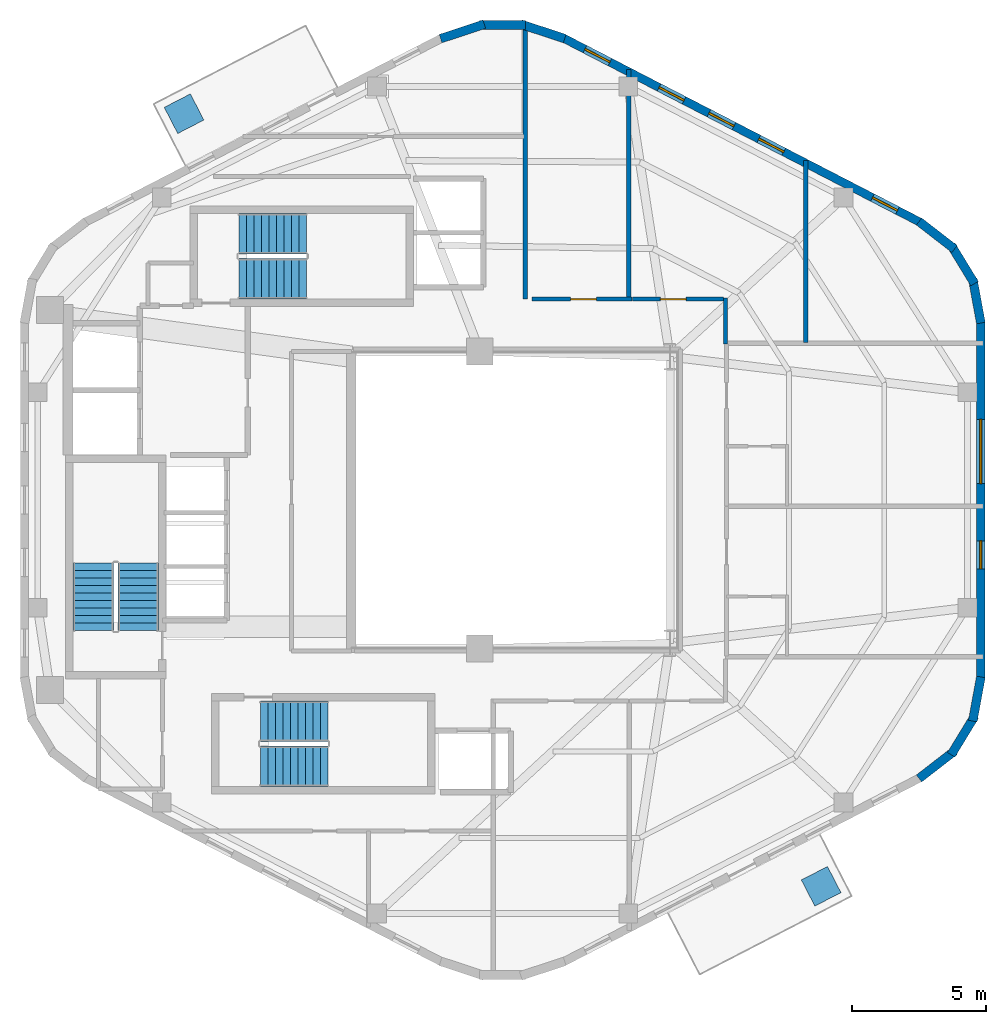
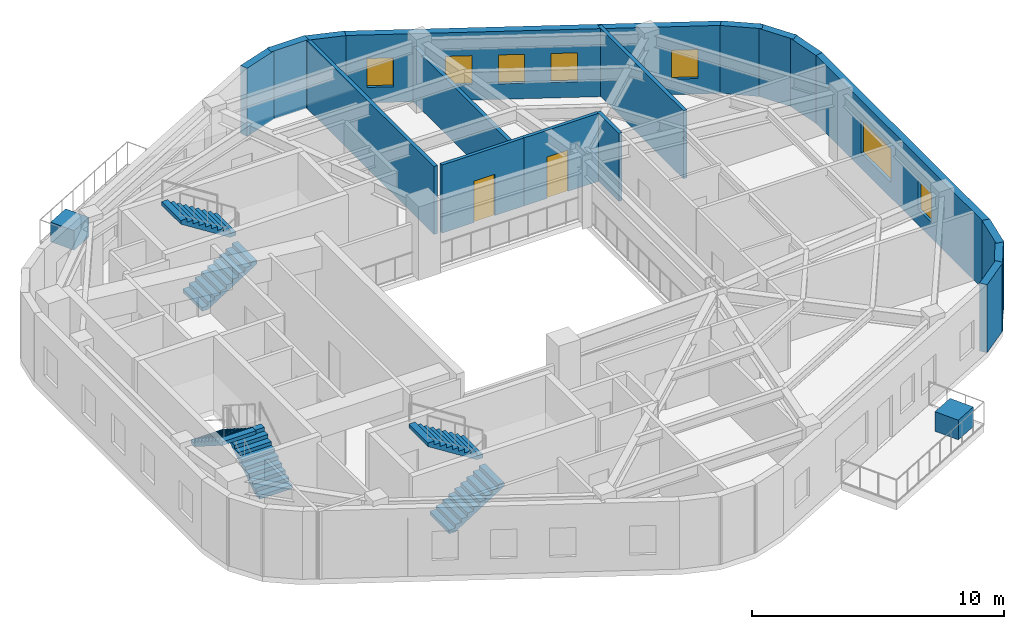
# One storey, part 5 of 7: 17 walls, 7 windows, 6 stair flights, 2 discrete accessories, 2 doors, 9 openings, 3 elements without a shape of their own.
"""IFC4 building model written with IfcOpenShell, lengths in metres."""

import ifcopenshell
import ifcopenshell.guid

model = None  # the IFC model being written
_history = None  # IfcOwnerHistory: only IFC2X3 demands one
_inside = {}  # id of a spatial element -> (the spatial element, [elements in it])
_under = {}  # id of a project, library or spatial element -> (it, [spatial elements below it])
_declared = {}  # id of a project -> (the project, [libraries it declares])
_typed = {}  # id of a type object -> (the type object, [elements of that type])
_made_of = {}  # id of a material, layer set ... -> (it, [elements and type objects made of it])


def new_model(schema):
    """Start an empty IFC model of exactly this schema.

    Asked for "IFC4X3", IfcOpenShell would pick the latest addendum, in which some entities
    have other attributes; the version numbers below select the first issue.
    IFC2X3 requires an IfcOwnerHistory on every rooted entity: one is made here for all.
    """
    global model, _history
    if schema == "IFC4X3":
        model = ifcopenshell.file(schema_version=(4, 3, 0, 0))
    else:
        model = ifcopenshell.file(schema=schema)
    _inside.clear()
    _under.clear()
    _declared.clear()
    _typed.clear()
    _made_of.clear()
    _history = None
    if model.schema == "IFC2X3":
        org = make("IfcOrganization", Name="unknown")
        user = make(
            "IfcPersonAndOrganization",
            ThePerson=make("IfcPerson", FamilyName="unknown"),
            TheOrganization=org,
        )
        app = make(
            "IfcApplication",
            ApplicationDeveloper=org,
            Version="unknown",
            ApplicationFullName="unknown",
            ApplicationIdentifier="unknown",
        )
        _history = make(
            "IfcOwnerHistory",
            OwningUser=user,
            OwningApplication=app,
            ChangeAction="ADDED",
            CreationDate=0,
        )
    return model


def make(cls, **values):
    """One entity of the class cls with the attributes given. An attribute that is None is left unset."""
    return model.create_entity(
        cls, **{name: value for name, value in values.items() if value is not None}
    )


def rooted(cls, **values):
    """An entity with a GlobalId (a new one), such as an element, a storey or a relation."""
    return make(cls, GlobalId=ifcopenshell.guid.new(), OwnerHistory=_history, **values)


def si_unit(unit_type, name, prefix=None):
    """IfcSIUnit, for example si_unit("LENGTHUNIT", "METRE", prefix="MILLI")."""
    return make("IfcSIUnit", UnitType=unit_type, Prefix=prefix, Name=name)


def assignment(units):
    """IfcUnitAssignment: the units of a project."""
    return None if units is None else make("IfcUnitAssignment", Units=units)


def point(xyz):
    """IfcCartesianPoint."""
    return None if xyz is None else make("IfcCartesianPoint", Coordinates=xyz)


def direction(xyz):
    """IfcDirection."""
    return None if xyz is None else make("IfcDirection", DirectionRatios=xyz)


def frame(location, z_axis=None, x_axis=None):
    """IfcAxis2Placement3D, a coordinate frame: its origin and axes. An axis left out is left unset."""
    return make(
        "IfcAxis2Placement3D",
        Location=point(location),
        Axis=direction(z_axis),
        RefDirection=direction(x_axis),
    )


def frame_2d(location, x_axis=None):
    """IfcAxis2Placement2D, a coordinate frame in the plane: its origin and x axis."""
    return make(
        "IfcAxis2Placement2D", Location=point(location), RefDirection=direction(x_axis)
    )


def origin():
    """The frame at (0, 0, 0) with its axes left unset."""
    return frame((0.0, 0.0, 0.0))


def origin_2d():
    """The frame at (0, 0) in the plane with its x axis left unset."""
    return frame_2d((0.0, 0.0))


def place(relative_to, where):
    """IfcLocalPlacement: puts the frame where relative to a parent placement (None: the world)."""
    return make(
        "IfcLocalPlacement", PlacementRelTo=relative_to, RelativePlacement=where
    )


def context(
    kind, dimensions, precision=None, world=None, true_north=None, identifier=None
):
    """IfcGeometricRepresentationContext, for example the 3D "Model" context."""
    return make(
        "IfcGeometricRepresentationContext",
        ContextIdentifier=identifier,
        ContextType=kind,
        CoordinateSpaceDimension=dimensions,
        Precision=precision,
        WorldCoordinateSystem=world,
        TrueNorth=true_north,
    )


def subcontext(parent, identifier, kind, view, scale=None):
    """IfcGeometricRepresentationSubContext, for example "Body" below "Model"."""
    return make(
        "IfcGeometricRepresentationSubContext",
        ContextIdentifier=identifier,
        ContextType=kind,
        ParentContext=parent,
        TargetScale=scale,
        TargetView=view,
    )


def project(units=None, contexts=None):
    """IfcProject with its units and contexts."""
    return rooted(
        "IfcProject",
        Name="project",
        RepresentationContexts=contexts,
        UnitsInContext=assignment(units),
    )


def spatial(cls, under=None, at=None, **own):
    """A site, building, storey or space (cls), placed at a placement, below another one or the project."""
    s = rooted(cls, ObjectPlacement=at, **own)
    if under is not None:
        _under.setdefault(under.id(), (under, []))[1].append(s)
    return s


def polyline(points):
    """IfcPolyline through the points."""
    return make("IfcPolyline", Points=[point(p) for p in points])


def profile(cls, at=None, kind="AREA", **sizes):
    """A parametric profile (cls). Its sizes go by their IFC names, for example OverallWidth=200.0."""
    return make(cls, ProfileType=kind, Position=at, **sizes)


def rectangle(**sizes):
    """IfcRectangleProfileDef."""
    return profile("IfcRectangleProfileDef", **sizes)


def outline(outer, holes=None, kind="AREA"):
    """IfcArbitraryClosedProfileDef: a profile drawn as a closed curve; with holes, ...WithVoids."""
    if holes is None:
        return make("IfcArbitraryClosedProfileDef", ProfileType=kind, OuterCurve=outer)
    return make(
        "IfcArbitraryProfileDefWithVoids",
        ProfileType=kind,
        OuterCurve=outer,
        InnerCurves=holes,
    )


def extrude(swept, where, along, depth):
    """IfcExtrudedAreaSolid: the profile swept, set in the frame where, extruded along a direction by depth."""
    return make(
        "IfcExtrudedAreaSolid",
        SweptArea=swept,
        Position=where,
        ExtrudedDirection=direction(along),
        Depth=depth,
    )


def shape(context_of_items, identifier, shape_type, items):
    """IfcShapeRepresentation: the items that make up one representation, for example the "Body"."""
    return make(
        "IfcShapeRepresentation",
        ContextOfItems=context_of_items,
        RepresentationIdentifier=identifier,
        RepresentationType=shape_type,
        Items=items,
    )


def material(Name=None, Category=None):
    """IfcMaterial."""
    return make("IfcMaterial", Name=Name, Category=Category)


def layer(
    of_material, thickness, ventilated=None, Name=None, Category=None, Priority=None
):
    """IfcMaterialLayer: one layer of a wall or slab, of a material (None: an air gap)."""
    return make(
        "IfcMaterialLayer",
        Material=of_material,
        LayerThickness=thickness,
        IsVentilated=ventilated,
        Name=Name,
        Category=Category,
        Priority=Priority,
    )


def layer_set(layers, Name=None):
    """IfcMaterialLayerSet."""
    return make("IfcMaterialLayerSet", MaterialLayers=layers, LayerSetName=Name)


def made_of(thing, what):
    """Note that an element or type object is made of a material, layer set ...; save() writes the relation."""
    if what is not None:
        _made_of.setdefault(what.id(), (what, []))[1].append(thing)
    return thing


def type_object(cls, material=None, **own):
    """A type object (cls), such as IfcWallType, which elements share."""
    return made_of(rooted(cls, **own), material)


def element(
    cls,
    number,
    at=None,
    inside=None,
    cuts=None,
    type_object=None,
    material=None,
    context=None,
    identifier="Body",
    shape_type=None,
    held_by="IfcProductDefinitionShape",
    body=None,
    shapes=None,
    **own,
):
    """One element of the class cls, such as IfcWall. Its Tag is "e" and its number.

    at: its placement. inside: the storey or other place that contains it. cuts: it is an
    opening in that element (IfcRelVoidsElement). A single representation is given by context,
    identifier, shape_type and body (its items); several are given by shapes. held_by: the class
    of the entity that holds the representations. save() writes the other relations.
    """
    e = rooted(cls, Tag="e%d" % number, ObjectPlacement=at, **own)
    if body is not None:
        shapes = [shape(context, identifier, shape_type, body)]
    if shapes is not None:
        e.Representation = make(held_by, Representations=shapes)
    if inside is not None:
        _inside.setdefault(inside.id(), (inside, []))[1].append(e)
    if cuts is not None:
        rooted(
            "IfcRelVoidsElement", RelatingBuildingElement=cuts, RelatedOpeningElement=e
        )
    if type_object is not None:
        _typed.setdefault(type_object.id(), (type_object, []))[1].append(e)
    return made_of(e, material)


def fill(opening, filler):
    """IfcRelFillsElement: the door or window that sits in an opening."""
    return rooted(
        "IfcRelFillsElement",
        RelatingOpeningElement=opening,
        RelatedBuildingElement=filler,
    )


def aggregate(whole, parts):
    """IfcRelAggregates: a whole, such as a stair, and the parts it consists of."""
    return rooted("IfcRelAggregates", RelatingObject=whole, RelatedObjects=parts)


def save(model, path):
    """Write the relations noted so far, then the file.

    IfcRelAggregates (storeys below a building ...), IfcRelContainedInSpatialStructure (elements
    in a storey), IfcRelDefinesByType, IfcRelAssociatesMaterial and IfcRelDeclares: one each for
    every whole, place, type object, material and project.
    """
    for whole, parts in _under.values():
        aggregate(whole, parts)
    for where, things in _inside.values():
        rooted(
            "IfcRelContainedInSpatialStructure",
            RelatedElements=things,
            RelatingStructure=where,
        )
    for kind, things in _typed.values():
        rooted("IfcRelDefinesByType", RelatedObjects=things, RelatingType=kind)
    for what, things in _made_of.values():
        rooted("IfcRelAssociatesMaterial", RelatedObjects=things, RelatingMaterial=what)
    for by, libraries in _declared.values():
        rooted("IfcRelDeclares", RelatingContext=by, RelatedDefinitions=libraries)
    model.write(path)


model = new_model("IFC4")

# Units and contexts
model_context = context("Model", 3, precision=1e-05, world=origin(), true_north=direction((0.0, 1.0)))
body_context = subcontext(model_context, "Body", "Model", "MODEL_VIEW")
ifc_project = project(units=[si_unit("LENGTHUNIT", "METRE"), si_unit("AREAUNIT", "SQUARE_METRE"), si_unit("VOLUMEUNIT", "CUBIC_METRE"), si_unit("PLANEANGLEUNIT", "RADIAN"), si_unit("MASSUNIT", "GRAM", prefix="KILO"), si_unit("THERMODYNAMICTEMPERATUREUNIT", "KELVIN"), si_unit("POWERUNIT", "WATT")], contexts=[model_context])

# Site, building, storey
site_placement = place(None, origin())
site = spatial("IfcSite", under=ifc_project, at=site_placement, CompositionType="ELEMENT")
building_placement = place(site_placement, origin())
building = spatial("IfcBuilding", under=site, at=building_placement, Name="Skarre Station Tower", CompositionType="ELEMENT")
storey_placement = place(building_placement, frame((0.0, 0.0, 249.0)))
storey = spatial("IfcBuildingStorey", under=building, at=storey_placement, Name="L68", CompositionType="ELEMENT", Elevation=249.0)

# Wall
ifc_material_1 = material(Name="Acoustic Steel-Stud Gypsum Partition", Category="steel")
ifc_layer_1 = layer(ifc_material_1, 0.14990234375, Name="Acoustic Steel-Stud Gypsum Partition")
ifc_layer_set_1 = layer_set([ifc_layer_1], Name="Acoustic Steel-Stud Gypsum Partition")
wall_type_1 = type_object("IfcWallType", Name="Fire-Rated Corridor Acoustic Partition 150", PredefinedType="PARTITIONING", material=ifc_layer_set_1)
wall_1_placement = place(storey_placement, frame((41.52001953125, 29.820068359375, 0.0), z_axis=(0.0, 0.0, 1.0), x_axis=(0.0, 1.0, 0.0)))
element("IfcWall", 1, at=wall_1_placement, inside=storey, type_object=wall_type_1, Name="L68 Interior Partition WL-PT-L68-CORR-NER", PredefinedType="PARTITIONING", context=body_context, shape_type="SweptSolid", body=[
    extrude(rectangle(XDim=1.719970703125, YDim=0.14990234375, at=frame_2d((0.85986328125, 0.0))), origin(), (0.0, 0.0, 1.0), 3.2900390625),
])

# Wall, opening, door
wall_2_placement = place(storey_placement, frame((38.037109375, 31.5, 0.0), z_axis=(0.0, 0.0, 1.0), x_axis=(-1.0, 0.0, 0.0)))
wall_2 = element("IfcWall", 2, at=wall_2_placement, inside=storey, type_object=wall_type_1, Name="L68 Interior Partition WL-PT-L68-NW1-CW", PredefinedType="PARTITIONING", context=body_context, shape_type="SweptSolid", body=[
    extrude(rectangle(XDim=3.7470703125, YDim=0.14990234375, at=frame_2d((1.87353515625, 0.0))), origin(), (0.0, 0.0, 1.0), 3.2900390625),
])
opening_1_placement = place(wall_2_placement, frame((1.3369140625, 0.0, 0.0)))
opening_1 = element("IfcOpeningElement", 3, at=opening_1_placement, cuts=wall_2, Name="Opening DR-FD60", PredefinedType="OPENING", context=body_context, shape_type="SweptSolid", body=[
    extrude(rectangle(XDim=0.9599609375, YDim=2.0, at=frame_2d((0.47998046875, 1.0))), frame((0.0, 0.0849609375, 0.0), z_axis=(0.0, -1.0, 0.0), x_axis=(1.0, 0.0, 0.0)), (0.0, 0.0, 1.0), 0.169921875),
])
ifc_material_2 = material(Name="Nordic White-Oak Veneer Solid-Core Fire Leaf", Category="wood")
door_type = type_object("IfcDoorType", Name="Corridor Suite Entry Fire Door FD60 960x2150", OperationType="SINGLE_SWING_LEFT", PredefinedType="DOOR", material=ifc_material_2)
door_1_placement = place(opening_1_placement, origin())
door_1 = element("IfcDoor", 4, at=door_1_placement, inside=storey, type_object=door_type, Name="L68 NW1 Entry Door", OperationType="SINGLE_SWING_LEFT", OverallHeight=2.0, OverallWidth=0.9599609375, PredefinedType="DOOR", context=body_context, shape_type="SweptSolid", body=[
    extrude(rectangle(XDim=0.9599609375, YDim=2.0, at=frame_2d((0.47998046875, 1.0))), frame((0.0, 0.02490234375, 0.0), z_axis=(0.0, -1.0, 0.0), x_axis=(1.0, 0.0, 0.0)), (0.0, 0.0, 1.0), 0.050048828125),
])
fill(opening_1, door_1)

wall_3_placement = place(storey_placement, frame((41.449951171875, 31.5, 0.0), z_axis=(0.0, 0.0, 1.0), x_axis=(-1.0, 0.0, 0.0)))
wall_3 = element("IfcWall", 5, at=wall_3_placement, inside=storey, type_object=wall_type_1, Name="L68 Interior Partition WL-PT-L68-NW2-CW", PredefinedType="PARTITIONING", context=body_context, shape_type="SweptSolid", body=[
    extrude(rectangle(XDim=3.40283203125, YDim=0.14990234375, at=frame_2d((1.701416015625, 0.0))), origin(), (0.0, 0.0, 1.0), 3.2900390625),
])
opening_2_placement = place(wall_3_placement, frame((1.39892578125, 0.0, 0.0)))
opening_2 = element("IfcOpeningElement", 6, at=opening_2_placement, cuts=wall_3, Name="Opening DR-FD60", PredefinedType="OPENING", context=body_context, shape_type="SweptSolid", body=[
    extrude(rectangle(XDim=0.9599609375, YDim=2.0, at=frame_2d((0.47998046875, 1.0))), frame((0.0, 0.0849609375, 0.0), z_axis=(0.0, -1.0, 0.0), x_axis=(1.0, 0.0, 0.0)), (0.0, 0.0, 1.0), 0.169921875),
])
door_2_placement = place(opening_2_placement, origin())
door_2 = element("IfcDoor", 7, at=door_2_placement, inside=storey, type_object=door_type, Name="L68 NW2 Entry Door", OperationType="SINGLE_SWING_LEFT", OverallHeight=2.0, OverallWidth=0.9599609375, PredefinedType="DOOR", context=body_context, shape_type="SweptSolid", body=[
    extrude(rectangle(XDim=0.9599609375, YDim=2.0, at=frame_2d((0.47998046875, 1.0))), frame((0.0, 0.02490234375, 0.0), z_axis=(0.0, -1.0, 0.0), x_axis=(1.0, 0.0, 0.0)), (0.0, 0.0, 1.0), 0.050048828125),
])
fill(opening_2, door_2)

# Walls
ifc_material_3 = material(Name="Precast concrete C45/55", Category="concrete")
ifc_layer_2 = layer(ifc_material_3, 0.330078125, Name="Precast concrete C45/55")
ifc_layer_set_2 = layer_set([ifc_layer_2], Name="Precast concrete C45/55")
wall_type_2 = type_object("IfcWallType", Name="Nordic Rounded Corner Precast Wall 330", PredefinedType="STANDARD", material=ifc_layer_set_2)
wall_4_placement = place(storey_placement, frame((48.7529296875, 34.40087890625, 0.0), z_axis=(0.0, 0.0, 1.0), x_axis=(0.790691856293, -0.61221433207, 0.0)))
element("IfcWall", 8, at=wall_4_placement, inside=storey, type_object=wall_type_2, Name="L68 Rounded Corner Precast Wall F0-1", PredefinedType="STANDARD", context=body_context, shape_type="SweptSolid", body=[
    extrude(rectangle(XDim=1.67578125, YDim=0.330078125, at=frame_2d((0.837890625, 0.0))), origin(), (0.0, 0.0, 1.0), 3.2900390625),
])
wall_5_placement = place(storey_placement, frame((49.952880859375, 33.514892578125, 0.0), z_axis=(0.0, 0.0, 1.0), x_axis=(0.520325409202, -0.853968072318, 0.0)))
element("IfcWall", 9, at=wall_5_placement, inside=storey, type_object=wall_type_2, Name="L68 Rounded Corner Precast Wall F0-2", PredefinedType="STANDARD", context=body_context, shape_type="SweptSolid", body=[
    extrude(rectangle(XDim=1.677978515625, YDim=0.330078125, at=frame_2d((0.8388671875, 0.0))), origin(), (0.0, 0.0, 1.0), 3.2900390625),
])
wall_6_placement = place(storey_placement, frame((50.759033203125, 32.257080078125, 0.0), z_axis=(0.0, 0.0, 1.0), x_axis=(0.180691763044, -0.983539773862, 0.0)))
element("IfcWall", 10, at=wall_6_placement, inside=storey, type_object=wall_type_2, Name="L68 Rounded Corner Precast Wall F0-3", PredefinedType="STANDARD", context=body_context, shape_type="SweptSolid", body=[
    extrude(rectangle(XDim=1.6767578125, YDim=0.330078125, at=frame_2d((0.83837890625, 0.0))), origin(), (0.0, 0.0, 1.0), 3.2900390625),
])
wall_7_placement = place(storey_placement, frame((30.882080078125, 41.23095703125, 0.0), z_axis=(0.0, 0.0, 1.0), x_axis=(0.949713440491, 0.313120393699, 0.0)))
element("IfcWall", 11, at=wall_7_placement, inside=storey, type_object=wall_type_2, Name="L68 Rounded Corner Precast Wall F1-1", PredefinedType="STANDARD", context=body_context, shape_type="SweptSolid", body=[
    extrude(rectangle(XDim=1.7216796875, YDim=0.330078125, at=frame_2d((0.86083984375, 0.0))), origin(), (0.0, 0.0, 1.0), 3.2900390625),
])
wall_8_placement = place(storey_placement, frame((32.339111328125, 41.740966796875, 0.0), z_axis=(0.0, 0.0, 1.0), x_axis=(1.0, 0.0, 0.0)))
element("IfcWall", 12, at=wall_8_placement, inside=storey, type_object=wall_type_2, Name="L68 Rounded Corner Precast Wall F1-2", PredefinedType="STANDARD", context=body_context, shape_type="SweptSolid", body=[
    extrude(rectangle(XDim=1.721923828125, YDim=0.330078125, at=frame_2d((0.86083984375, 0.0))), origin(), (0.0, 0.0, 1.0), 3.2900390625),
])
wall_9_placement = place(storey_placement, frame((33.883056640625, 41.77001953125, 0.0), z_axis=(0.0, 0.0, 1.0), x_axis=(0.949713440491, -0.313120393699, 0.0)))
element("IfcWall", 13, at=wall_9_placement, inside=storey, type_object=wall_type_2, Name="L68 Rounded Corner Precast Wall F1-3", PredefinedType="STANDARD", context=body_context, shape_type="SweptSolid", body=[
    extrude(rectangle(XDim=1.7216796875, YDim=0.330078125, at=frame_2d((0.86083984375, 0.0))), origin(), (0.0, 0.0, 1.0), 3.2900390625),
])
wall_10_placement = place(storey_placement, frame((51.06201171875, 17.39208984375, 0.0), z_axis=(0.0, 0.0, 1.0), x_axis=(-0.180691763044, -0.983539773862, 0.0)))
element("IfcWall", 14, at=wall_10_placement, inside=storey, type_object=wall_type_2, Name="L68 Rounded Corner Precast Wall F5-1", PredefinedType="STANDARD", context=body_context, shape_type="SweptSolid", body=[
    extrude(rectangle(XDim=1.6767578125, YDim=0.330078125, at=frame_2d((0.83837890625, 0.0))), origin(), (0.0, 0.0, 1.0), 3.2900390625),
])
wall_11_placement = place(storey_placement, frame((50.825927734375, 15.91796875, 0.0), z_axis=(0.0, 0.0, 1.0), x_axis=(-0.520325409202, -0.853968072318, 0.0)))
element("IfcWall", 15, at=wall_11_placement, inside=storey, type_object=wall_type_2, Name="L68 Rounded Corner Precast Wall F5-2", PredefinedType="STANDARD", context=body_context, shape_type="SweptSolid", body=[
    extrude(rectangle(XDim=1.677978515625, YDim=0.330078125, at=frame_2d((0.8388671875, 0.0))), origin(), (0.0, 0.0, 1.0), 3.2900390625),
])
wall_12_placement = place(storey_placement, frame((50.077880859375, 14.625, 0.0), z_axis=(0.0, 0.0, 1.0), x_axis=(-0.790691856293, -0.61221433207, 0.0)))
element("IfcWall", 16, at=wall_12_placement, inside=storey, type_object=wall_type_2, Name="L68 Rounded Corner Precast Wall F5-3", PredefinedType="STANDARD", context=body_context, shape_type="SweptSolid", body=[
    extrude(rectangle(XDim=1.67578125, YDim=0.330078125, at=frame_2d((0.837890625, 0.0))), origin(), (0.0, 0.0, 1.0), 3.2900390625),
])

# Wall, openings, windows
ifc_layer_3 = layer(ifc_material_3, 0.31005859375, Name="Precast concrete C45/55")
ifc_layer_set_3 = layer_set([ifc_layer_3], Name="Precast concrete C45/55")
wall_type_3 = type_object("IfcWallType", Name="Nordic Upper-Zone Precast Facet Wall 310", PredefinedType="STANDARD", material=ifc_layer_set_3)
wall_13_placement = place(storey_placement, frame((35.43701171875, 41.27001953125, 0.0), z_axis=(0.0, 0.0, 1.0), x_axis=(0.888581481622, -0.458718814218, 0.0)))
wall_13 = element("IfcWall", 17, at=wall_13_placement, inside=storey, type_object=wall_type_3, Name="L68 Facet 0 Nordic Precast Masonry Wall", PredefinedType="STANDARD", context=body_context, shape_type="SweptSolid", body=[
    extrude(rectangle(XDim=15.076904296875, YDim=0.31005859375, at=frame_2d((7.53857421875, 0.0))), origin(), (0.0, 0.0, 1.0), 3.2900390625),
])
opening_3_placement = place(wall_13_placement, frame((0.94189453125, 0.0, 0.75)))
opening_3 = element("IfcOpeningElement", 18, at=opening_3_placement, cuts=wall_13, Name="Opening WN-SLT", PredefinedType="OPENING", context=body_context, shape_type="SweptSolid", body=[
    extrude(rectangle(XDim=1.050048828125, YDim=1.39990234375, at=frame_2d((0.52490234375, 0.699951171875))), frame((0.0, 0.1650390625, 0.0), z_axis=(0.0, -1.0, 0.0), x_axis=(1.0, 0.0, 0.0)), (0.0, 0.0, 1.0), 0.330078125),
])
opening_4_placement = place(wall_13_placement, frame((4.05810546875, 0.0, 0.75)))
opening_4 = element("IfcOpeningElement", 19, at=opening_4_placement, cuts=wall_13, Name="Opening WN-SLT", PredefinedType="OPENING", context=body_context, shape_type="SweptSolid", body=[
    extrude(rectangle(XDim=1.050048828125, YDim=1.39990234375, at=frame_2d((0.52490234375, 0.699951171875))), frame((0.0, 0.1650390625, 0.0), z_axis=(0.0, -1.0, 0.0), x_axis=(1.0, 0.0, 0.0)), (0.0, 0.0, 1.0), 0.330078125),
])
opening_5_placement = place(wall_13_placement, frame((6.153076171875, 0.0, 0.75)))
opening_5 = element("IfcOpeningElement", 20, at=opening_5_placement, cuts=wall_13, Name="Opening WN-SLT", PredefinedType="OPENING", context=body_context, shape_type="SweptSolid", body=[
    extrude(rectangle(XDim=1.050048828125, YDim=1.39990234375, at=frame_2d((0.52490234375, 0.699951171875))), frame((0.0, 0.1650390625, 0.0), z_axis=(0.0, -1.0, 0.0), x_axis=(1.0, 0.0, 0.0)), (0.0, 0.0, 1.0), 0.330078125),
])
opening_6_placement = place(wall_13_placement, frame((8.2490234375, 0.0, 0.75)))
opening_6 = element("IfcOpeningElement", 21, at=opening_6_placement, cuts=wall_13, Name="Opening WN-SLT", PredefinedType="OPENING", context=body_context, shape_type="SweptSolid", body=[
    extrude(rectangle(XDim=1.050048828125, YDim=1.39990234375, at=frame_2d((0.52490234375, 0.699951171875))), frame((0.0, 0.1650390625, 0.0), z_axis=(0.0, -1.0, 0.0), x_axis=(1.0, 0.0, 0.0)), (0.0, 0.0, 1.0), 0.330078125),
])
opening_7_placement = place(wall_13_placement, frame((13.029052734375, 0.0, 0.75)))
opening_7 = element("IfcOpeningElement", 22, at=opening_7_placement, cuts=wall_13, Name="Opening WN-SLT", PredefinedType="OPENING", context=body_context, shape_type="SweptSolid", body=[
    extrude(rectangle(XDim=1.050048828125, YDim=1.39990234375, at=frame_2d((0.52490234375, 0.699951171875))), frame((0.0, 0.1650390625, 0.0), z_axis=(0.0, -1.0, 0.0), x_axis=(1.0, 0.0, 0.0)), (0.0, 0.0, 1.0), 0.330078125),
])
ifc_material_4 = material(Name="Low-Iron Triple Glazing with Bronze Anodized Frame", Category="glass")
window_type_1 = type_object("IfcWindowType", Name="Nordic Corner Slot Window 1050x1400", PartitioningType="SINGLE_PANEL", PredefinedType="WINDOW", material=ifc_material_4)
window_1_placement = place(opening_3_placement, origin())
window_1 = element("IfcWindow", 23, at=window_1_placement, inside=storey, type_object=window_type_1, Name="L68 Facade Window WL-FAC-L68-F0-1", OverallHeight=1.39990234375, OverallWidth=1.050048828125, PartitioningType="SINGLE_PANEL", PredefinedType="WINDOW", context=body_context, shape_type="SweptSolid", body=[
    extrude(rectangle(XDim=1.050048828125, YDim=1.39990234375, at=frame_2d((0.52490234375, 0.699951171875))), frame((0.0, 0.030029296875, 0.0), z_axis=(0.0, -1.0, 0.0), x_axis=(1.0, 0.0, 0.0)), (0.0, 0.0, 1.0), 0.06005859375),
])
fill(opening_3, window_1)
window_2_placement = place(opening_4_placement, origin())
window_2 = element("IfcWindow", 24, at=window_2_placement, inside=storey, type_object=window_type_1, Name="L68 Facade Window WL-FAC-L68-F0-2", OverallHeight=1.39990234375, OverallWidth=1.050048828125, PartitioningType="SINGLE_PANEL", PredefinedType="WINDOW", context=body_context, shape_type="SweptSolid", body=[
    extrude(rectangle(XDim=1.050048828125, YDim=1.39990234375, at=frame_2d((0.52490234375, 0.699951171875))), frame((0.0, 0.030029296875, 0.0), z_axis=(0.0, -1.0, 0.0), x_axis=(1.0, 0.0, 0.0)), (0.0, 0.0, 1.0), 0.06005859375),
])
fill(opening_4, window_2)
window_3_placement = place(opening_5_placement, origin())
window_3 = element("IfcWindow", 25, at=window_3_placement, inside=storey, type_object=window_type_1, Name="L68 Facade Window WL-FAC-L68-F0-3", OverallHeight=1.39990234375, OverallWidth=1.050048828125, PartitioningType="SINGLE_PANEL", PredefinedType="WINDOW", context=body_context, shape_type="SweptSolid", body=[
    extrude(rectangle(XDim=1.050048828125, YDim=1.39990234375, at=frame_2d((0.52490234375, 0.699951171875))), frame((0.0, 0.030029296875, 0.0), z_axis=(0.0, -1.0, 0.0), x_axis=(1.0, 0.0, 0.0)), (0.0, 0.0, 1.0), 0.06005859375),
])
fill(opening_5, window_3)
window_4_placement = place(opening_6_placement, origin())
window_4 = element("IfcWindow", 26, at=window_4_placement, inside=storey, type_object=window_type_1, Name="L68 Facade Window WL-FAC-L68-F0-4", OverallHeight=1.39990234375, OverallWidth=1.050048828125, PartitioningType="SINGLE_PANEL", PredefinedType="WINDOW", context=body_context, shape_type="SweptSolid", body=[
    extrude(rectangle(XDim=1.050048828125, YDim=1.39990234375, at=frame_2d((0.52490234375, 0.699951171875))), frame((0.0, 0.030029296875, 0.0), z_axis=(0.0, -1.0, 0.0), x_axis=(1.0, 0.0, 0.0)), (0.0, 0.0, 1.0), 0.06005859375),
])
fill(opening_6, window_4)
window_5_placement = place(opening_7_placement, origin())
window_5 = element("IfcWindow", 27, at=window_5_placement, inside=storey, type_object=window_type_1, Name="L68 Facade Window WL-FAC-L68-F0-5", OverallHeight=1.39990234375, OverallWidth=1.050048828125, PartitioningType="SINGLE_PANEL", PredefinedType="WINDOW", context=body_context, shape_type="SweptSolid", body=[
    extrude(rectangle(XDim=1.050048828125, YDim=1.39990234375, at=frame_2d((0.52490234375, 0.699951171875))), frame((0.0, 0.030029296875, 0.0), z_axis=(0.0, -1.0, 0.0), x_axis=(1.0, 0.0, 0.0)), (0.0, 0.0, 1.0), 0.06005859375),
])
fill(opening_7, window_5)

wall_14_placement = place(storey_placement, frame((51.05810546875, 30.701904296875, 0.0), z_axis=(0.0, 0.0, 1.0), x_axis=(0.0, -1.0, 0.0)))
wall_14 = element("IfcWall", 28, at=wall_14_placement, inside=storey, type_object=wall_type_3, Name="L68 Facet 5 Nordic Precast Masonry Wall", PredefinedType="STANDARD", context=body_context, shape_type="SweptSolid", body=[
    extrude(rectangle(XDim=13.40380859375, YDim=0.31005859375, at=frame_2d((6.701904296875, 0.0))), origin(), (0.0, 0.0, 1.0), 3.2900390625),
])
opening_8_placement = place(wall_14_placement, frame((3.68701171875, 0.0, 0.75)))
opening_8 = element("IfcOpeningElement", 29, at=opening_8_placement, cuts=wall_14, Name="Opening WN-Z4A", PredefinedType="OPENING", context=body_context, shape_type="SweptSolid", body=[
    extrude(rectangle(XDim=2.39990234375, YDim=1.60009765625, at=frame_2d((1.199951171875, 0.800048828125))), frame((0.0, 0.1650390625, 0.0), z_axis=(0.0, -1.0, 0.0), x_axis=(1.0, 0.0, 0.0)), (0.0, 0.0, 1.0), 0.330078125),
])
opening_9_placement = place(wall_14_placement, frame((8.22509765625, 0.0, 0.75)))
opening_9 = element("IfcOpeningElement", 30, at=opening_9_placement, cuts=wall_14, Name="Opening WN-SLT", PredefinedType="OPENING", context=body_context, shape_type="SweptSolid", body=[
    extrude(rectangle(XDim=1.050048828125, YDim=1.39990234375, at=frame_2d((0.52490234375, 0.699951171875))), frame((0.0, 0.1650390625, 0.0), z_axis=(0.0, -1.0, 0.0), x_axis=(1.0, 0.0, 0.0)), (0.0, 0.0, 1.0), 0.330078125),
])
window_6_placement = place(opening_9_placement, origin())
window_6 = element("IfcWindow", 31, at=window_6_placement, inside=storey, type_object=window_type_1, Name="L68 Facade Window WL-FAC-L68-F5-2", OverallHeight=1.39990234375, OverallWidth=1.050048828125, PartitioningType="SINGLE_PANEL", PredefinedType="WINDOW", context=body_context, shape_type="SweptSolid", body=[
    extrude(rectangle(XDim=1.050048828125, YDim=1.39990234375, at=frame_2d((0.52490234375, 0.699951171875))), frame((0.0, 0.030029296875, 0.0), z_axis=(0.0, -1.0, 0.0), x_axis=(1.0, 0.0, 0.0)), (0.0, 0.0, 1.0), 0.06005859375),
])
fill(opening_9, window_6)
window_type_2 = type_object("IfcWindowType", Name="Nordic Crown Panorama Window 2400x1600", PartitioningType="SINGLE_PANEL", PredefinedType="WINDOW", material=ifc_material_4)
window_7_placement = place(opening_8_placement, origin())
window_7 = element("IfcWindow", 32, at=window_7_placement, inside=storey, type_object=window_type_2, Name="L68 Facade Window WL-FAC-L68-F5-1", OverallHeight=1.60009765625, OverallWidth=2.39990234375, PartitioningType="SINGLE_PANEL", PredefinedType="WINDOW", context=body_context, shape_type="SweptSolid", body=[
    extrude(rectangle(XDim=2.39990234375, YDim=1.60009765625, at=frame_2d((1.199951171875, 0.800048828125))), frame((0.0, 0.030029296875, 0.0), z_axis=(0.0, -1.0, 0.0), x_axis=(1.0, 0.0, 0.0)), (0.0, 0.0, 1.0), 0.06005859375),
])
fill(opening_8, window_7)

# Walls
ifc_layer_4 = layer(ifc_material_1, 0.1650390625, Name="Acoustic Steel-Stud Gypsum Partition")
ifc_layer_set_4 = layer_set([ifc_layer_4], Name="Acoustic Steel-Stud Gypsum Partition")
wall_type_4 = type_object("IfcWallType", Name="Suite Demising Acoustic Partition 165", PredefinedType="PARTITIONING", material=ifc_layer_set_4)
wall_15_placement = place(storey_placement, frame((34.0400390625, 31.5, 0.0), z_axis=(0.0, 0.0, 1.0), x_axis=(0.0, 1.0, 0.0)))
element("IfcWall", 33, at=wall_15_placement, inside=storey, type_object=wall_type_4, Name="L68 Interior Partition WL-PT-L68-NW-WBND", PredefinedType="PARTITIONING", context=body_context, shape_type="SweptSolid", body=[
    extrude(rectangle(XDim=10.318115234375, YDim=0.1650390625, at=frame_2d((5.1591796875, 0.0))), origin(), (0.0, 0.0, 1.0), 3.2900390625),
])
wall_16_placement = place(storey_placement, frame((37.9169921875, 31.510009765625, 0.0), z_axis=(0.0, 0.0, 1.0), x_axis=(0.0, 1.0, 0.0)))
element("IfcWall", 34, at=wall_16_placement, inside=storey, type_object=wall_type_4, Name="L68 Interior Partition WL-PT-L68-NW-P1", PredefinedType="PARTITIONING", context=body_context, shape_type="SweptSolid", body=[
    extrude(rectangle(XDim=8.575927734375, YDim=0.1650390625, at=frame_2d((4.2880859375, 0.0))), origin(), (0.0, 0.0, 1.0), 2.678955078125),
])
wall_17_placement = place(storey_placement, frame((44.52490234375, 29.889892578125, 0.0), z_axis=(0.0, 0.0, 1.0), x_axis=(0.0, 1.0, 0.0)))
element("IfcWall", 35, at=wall_17_placement, inside=storey, type_object=wall_type_4, Name="L68 Interior Partition WL-PT-L68-NW-P2", PredefinedType="PARTITIONING", context=body_context, shape_type="SweptSolid", body=[
    extrude(rectangle(XDim=6.7841796875, YDim=0.1650390625, at=frame_2d((3.39208984375, 0.0))), origin(), (0.0, 0.0, 1.0), 3.2900390625),
])

# Stair, stair flights
ifc_material_5 = material(Name="Concrete C40/50", Category="concrete")
stair_type_1 = type_object("IfcStairType", Name="Reinforced Concrete Exit Stair ST-1", PredefinedType="HALF_TURN_STAIR", material=ifc_material_5)
stair_1_placement = place(storey_placement, origin())
stair_1 = element("IfcStair", 36, at=stair_1_placement, inside=storey, type_object=stair_type_1, Name="L68 Core Exit Stair ST-1", PredefinedType="HALF_TURN_STAIR")
stair_flight_type_1 = type_object("IfcStairFlightType", Name="Reinforced Concrete Stair Flight ST-1", PredefinedType="STRAIGHT", material=ifc_material_5)
stair_flight_1_placement = place(storey_placement, frame((19.590087890625, 19.1201171875, 0.0), z_axis=(0.0, 0.0, 1.0), x_axis=(0.0, 1.0, 0.0)))
stair_flight_1 = element("IfcStairFlight", 37, at=stair_flight_1_placement, type_object=stair_flight_type_1, Name="ST-1 flight 1", NumberOfRisers=10, NumberOfTreads=9, PredefinedType="STRAIGHT", RiserHeight=0.1775, TreadLength=0.28, context=body_context, shape_type="SweptSolid", body=[
    extrude(outline(polyline([(0.0, 0.0), (0.0, 0.177490234375), (0.280029296875, 0.177490234375), (0.280029296875, 0.35498046875), (0.56005859375, 0.35498046875), (0.56005859375, 0.532470703125), (0.840087890625, 0.532470703125), (0.840087890625, 0.7099609375), (1.1201171875, 0.7099609375), (1.1201171875, 0.887451171875), (1.39990234375, 0.887451171875), (1.39990234375, 1.06494140625), (1.679931640625, 1.06494140625), (1.679931640625, 1.242431640625), (1.9599609375, 1.242431640625), (1.9599609375, 1.419921875), (2.239990234375, 1.419921875), (2.239990234375, 1.597412109375), (2.52001953125, 1.597412109375), (2.52001953125, 1.77490234375), (2.52001953125, 1.419921875), (0.280029296875, 0.0), (0.0, 0.0)])), frame((0.0, 0.760009765625, 0.0), z_axis=(0.0, -1.0, 0.0), x_axis=(1.0, 0.0, 0.0)), (0.0, 0.0, 1.0), 1.52001953125),
])
stair_flight_2_placement = place(storey_placement, frame((17.909912109375, 21.639892578125, 1.77490234375), z_axis=(0.0, 0.0, 1.0), x_axis=(0.0, -1.0, 0.0)))
stair_flight_2 = element("IfcStairFlight", 38, at=stair_flight_2_placement, type_object=stair_flight_type_1, Name="ST-1 flight 2", NumberOfRisers=10, NumberOfTreads=9, PredefinedType="STRAIGHT", RiserHeight=0.1775, TreadLength=0.28, context=body_context, shape_type="SweptSolid", body=[
    extrude(outline(polyline([(0.0, 0.0), (0.0, 0.177490234375), (0.280029296875, 0.177490234375), (0.280029296875, 0.35498046875), (0.56005859375, 0.35498046875), (0.56005859375, 0.532470703125), (0.840087890625, 0.532470703125), (0.840087890625, 0.7099609375), (1.1201171875, 0.7099609375), (1.1201171875, 0.887451171875), (1.39990234375, 0.887451171875), (1.39990234375, 1.06494140625), (1.679931640625, 1.06494140625), (1.679931640625, 1.242431640625), (1.9599609375, 1.242431640625), (1.9599609375, 1.419921875), (2.239990234375, 1.419921875), (2.239990234375, 1.597412109375), (2.52001953125, 1.597412109375), (2.52001953125, 1.77490234375), (2.52001953125, 1.419921875), (0.280029296875, 0.0), (0.0, 0.0)])), frame((0.0, 0.760009765625, 0.0), z_axis=(0.0, -1.0, 0.0), x_axis=(1.0, 0.0, 0.0)), (0.0, 0.0, 1.0), 1.52001953125),
])
aggregate(stair_1, [stair_flight_1, stair_flight_2])

stair_type_2 = type_object("IfcStairType", Name="Reinforced Concrete Exit Stair ST-2", PredefinedType="HALF_TURN_STAIR", material=ifc_material_5)
stair_2_placement = place(storey_placement, origin())
stair_2 = element("IfcStair", 39, at=stair_2_placement, inside=storey, type_object=stair_type_2, Name="L68 Core Exit Stair ST-2", PredefinedType="HALF_TURN_STAIR")
stair_flight_type_2 = type_object("IfcStairFlightType", Name="Reinforced Concrete Stair Flight ST-2", PredefinedType="STRAIGHT", material=ifc_material_5)
stair_flight_3_placement = place(storey_placement, frame((24.14990234375, 14.06005859375, 0.0), z_axis=(0.0, 0.0, 1.0), x_axis=(1.0, 0.0, 0.0)))
stair_flight_3 = element("IfcStairFlight", 40, at=stair_flight_3_placement, type_object=stair_flight_type_2, Name="ST-2 flight 1", NumberOfRisers=10, NumberOfTreads=9, PredefinedType="STRAIGHT", RiserHeight=0.1775, TreadLength=0.28, context=body_context, shape_type="SweptSolid", body=[
    extrude(outline(polyline([(0.0, 0.0), (0.0, 0.177490234375), (0.280029296875, 0.177490234375), (0.280029296875, 0.35498046875), (0.56005859375, 0.35498046875), (0.56005859375, 0.532470703125), (0.840087890625, 0.532470703125), (0.840087890625, 0.7099609375), (1.1201171875, 0.7099609375), (1.1201171875, 0.887451171875), (1.39990234375, 0.887451171875), (1.39990234375, 1.06494140625), (1.679931640625, 1.06494140625), (1.679931640625, 1.242431640625), (1.9599609375, 1.242431640625), (1.9599609375, 1.419921875), (2.239990234375, 1.419921875), (2.239990234375, 1.597412109375), (2.52001953125, 1.597412109375), (2.52001953125, 1.77490234375), (2.52001953125, 1.419921875), (0.280029296875, 0.0), (0.0, 0.0)])), frame((0.0, 0.760009765625, 0.0), z_axis=(0.0, -1.0, 0.0), x_axis=(1.0, 0.0, 0.0)), (0.0, 0.0, 1.0), 1.52001953125),
])
stair_flight_4_placement = place(storey_placement, frame((26.669921875, 15.739990234375, 1.77490234375), z_axis=(0.0, 0.0, 1.0), x_axis=(-1.0, 0.0, 0.0)))
stair_flight_4 = element("IfcStairFlight", 41, at=stair_flight_4_placement, type_object=stair_flight_type_2, Name="ST-2 flight 2", NumberOfRisers=10, NumberOfTreads=9, PredefinedType="STRAIGHT", RiserHeight=0.1775, TreadLength=0.28, context=body_context, shape_type="SweptSolid", body=[
    extrude(outline(polyline([(0.0, 0.0), (0.0, 0.177490234375), (0.280029296875, 0.177490234375), (0.280029296875, 0.35498046875), (0.56005859375, 0.35498046875), (0.56005859375, 0.532470703125), (0.840087890625, 0.532470703125), (0.840087890625, 0.7099609375), (1.1201171875, 0.7099609375), (1.1201171875, 0.887451171875), (1.39990234375, 0.887451171875), (1.39990234375, 1.06494140625), (1.679931640625, 1.06494140625), (1.679931640625, 1.242431640625), (1.9599609375, 1.242431640625), (1.9599609375, 1.419921875), (2.239990234375, 1.419921875), (2.239990234375, 1.597412109375), (2.52001953125, 1.597412109375), (2.52001953125, 1.77490234375), (2.52001953125, 1.419921875), (0.280029296875, 0.0), (0.0, 0.0)])), frame((0.0, 0.760009765625, 0.0), z_axis=(0.0, -1.0, 0.0), x_axis=(1.0, 0.0, 0.0)), (0.0, 0.0, 1.0), 1.52001953125),
])
aggregate(stair_2, [stair_flight_3, stair_flight_4])

stair_type_3 = type_object("IfcStairType", Name="Reinforced Concrete Exit Stair ST-3", PredefinedType="HALF_TURN_STAIR", material=ifc_material_5)
stair_3_placement = place(storey_placement, origin())
stair_3 = element("IfcStair", 42, at=stair_3_placement, inside=storey, type_object=stair_type_3, Name="L68 Core Exit Stair ST-3", PredefinedType="HALF_TURN_STAIR")
stair_flight_type_3 = type_object("IfcStairFlightType", Name="Reinforced Concrete Stair Flight ST-3", PredefinedType="STRAIGHT", material=ifc_material_5)
stair_flight_5_placement = place(storey_placement, frame((23.35009765625, 32.260009765625, 0.0), z_axis=(0.0, 0.0, 1.0), x_axis=(1.0, 0.0, 0.0)))
stair_flight_5 = element("IfcStairFlight", 43, at=stair_flight_5_placement, type_object=stair_flight_type_3, Name="ST-3 flight 1", NumberOfRisers=10, NumberOfTreads=9, PredefinedType="STRAIGHT", RiserHeight=0.1775, TreadLength=0.28, context=body_context, shape_type="SweptSolid", body=[
    extrude(outline(polyline([(0.0, 0.0), (0.0, 0.177490234375), (0.280029296875, 0.177490234375), (0.280029296875, 0.35498046875), (0.56005859375, 0.35498046875), (0.56005859375, 0.532470703125), (0.840087890625, 0.532470703125), (0.840087890625, 0.7099609375), (1.1201171875, 0.7099609375), (1.1201171875, 0.887451171875), (1.39990234375, 0.887451171875), (1.39990234375, 1.06494140625), (1.679931640625, 1.06494140625), (1.679931640625, 1.242431640625), (1.9599609375, 1.242431640625), (1.9599609375, 1.419921875), (2.239990234375, 1.419921875), (2.239990234375, 1.597412109375), (2.52001953125, 1.597412109375), (2.52001953125, 1.77490234375), (2.52001953125, 1.419921875), (0.280029296875, 0.0), (0.0, 0.0)])), frame((0.0, 0.760009765625, 0.0), z_axis=(0.0, -1.0, 0.0), x_axis=(1.0, 0.0, 0.0)), (0.0, 0.0, 1.0), 1.52001953125),
])
stair_flight_6_placement = place(storey_placement, frame((25.8701171875, 33.93994140625, 1.77490234375), z_axis=(0.0, 0.0, 1.0), x_axis=(-1.0, 0.0, 0.0)))
stair_flight_6 = element("IfcStairFlight", 44, at=stair_flight_6_placement, type_object=stair_flight_type_3, Name="ST-3 flight 2", NumberOfRisers=10, NumberOfTreads=9, PredefinedType="STRAIGHT", RiserHeight=0.1775, TreadLength=0.28, context=body_context, shape_type="SweptSolid", body=[
    extrude(outline(polyline([(0.0, 0.0), (0.0, 0.177490234375), (0.280029296875, 0.177490234375), (0.280029296875, 0.35498046875), (0.56005859375, 0.35498046875), (0.56005859375, 0.532470703125), (0.840087890625, 0.532470703125), (0.840087890625, 0.7099609375), (1.1201171875, 0.7099609375), (1.1201171875, 0.887451171875), (1.39990234375, 0.887451171875), (1.39990234375, 1.06494140625), (1.679931640625, 1.06494140625), (1.679931640625, 1.242431640625), (1.9599609375, 1.242431640625), (1.9599609375, 1.419921875), (2.239990234375, 1.419921875), (2.239990234375, 1.597412109375), (2.52001953125, 1.597412109375), (2.52001953125, 1.77490234375), (2.52001953125, 1.419921875), (0.280029296875, 0.0), (0.0, 0.0)])), frame((0.0, 0.760009765625, 0.0), z_axis=(0.0, -1.0, 0.0), x_axis=(1.0, 0.0, 0.0)), (0.0, 0.0, 1.0), 1.52001953125),
])
aggregate(stair_3, [stair_flight_5, stair_flight_6])

# Discrete accessories
discrete_accessory_type = type_object("IfcDiscreteAccessoryType", Name="Insulated Precast Tree Planter Trough 1100x1100x950", PredefinedType="USERDEFINED", material=ifc_material_3)
for number, where, z_axis, x_axis, name in (
    (45, (21.302978515625, 38.427001953125, 0.0), (0.0, 0.0, 1.0), (-0.458711590553, 0.88858521071, 0.0), "L68 TB-L68-F1 Insulated Precast Tree Planter Trough"),
    (46, (45.096923828125, 9.572998046875, 0.0), (0.0, 0.0, 1.0), (0.458711590553, -0.88858521071, 0.0), "L68 TB-L68-F4 Insulated Precast Tree Planter Trough"),
):
    element("IfcDiscreteAccessory", number, at=place(storey_placement, frame(where, z_axis=z_axis, x_axis=x_axis)), inside=storey, type_object=discrete_accessory_type, Name=name, ObjectType="PLANTER", PredefinedType="USERDEFINED", context=body_context, shape_type="SweptSolid", body=[
        extrude(rectangle(XDim=1.10009765625, YDim=1.10009765625, at=origin_2d()), origin(), (0.0, 0.0, 1.0), 0.949951171875),
    ])

save(model, "model.ifc")
